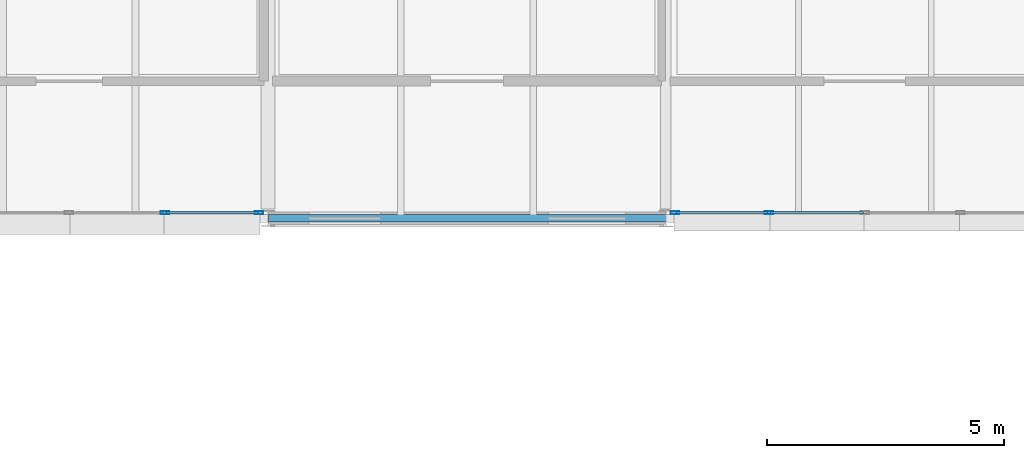
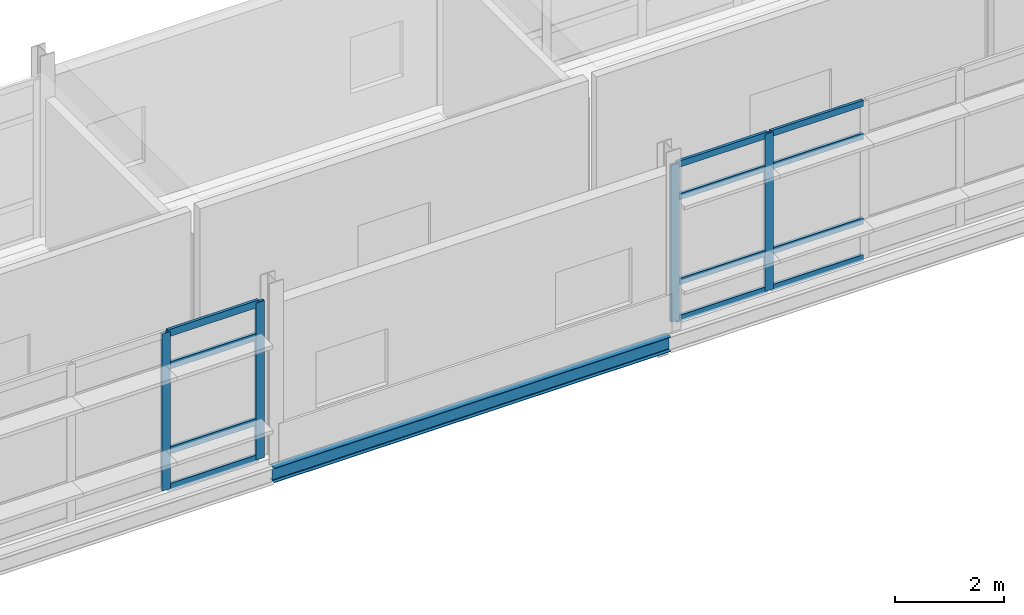
# One storey, part 13 of 66: 16 members, 1 beam, 2 elements without a shape of their own.
"""IFC4 building model written with IfcOpenShell, lengths in metres."""

from ifc_helpers import new_model, si_unit, direction, frame, origin, origin_2d, place, context, subcontext, project, spatial, hollow_rectangle, i_section, extrude, material, material_profile, profile_set, type_object, element, aggregate, save


model = new_model("IFC4")

# Units and contexts
model_context = context("Model", 3, precision=1e-05, world=origin(), true_north=direction((0.0, 1.0)))
body_context = subcontext(model_context, "Body", "Model", "MODEL_VIEW")
ifc_project = project(units=[si_unit("LENGTHUNIT", "METRE"), si_unit("AREAUNIT", "SQUARE_METRE"), si_unit("VOLUMEUNIT", "CUBIC_METRE"), si_unit("PLANEANGLEUNIT", "RADIAN"), si_unit("MASSUNIT", "GRAM", prefix="KILO")], contexts=[model_context])

# Site, building, storey
site_placement = place(None, origin())
site = spatial("IfcSite", under=ifc_project, at=site_placement, CompositionType="ELEMENT")
building_placement = place(site_placement, origin())
building = spatial("IfcBuilding", under=site, at=building_placement, Name="Mersafa Astral City Hall", CompositionType="ELEMENT")
storey_placement = place(building_placement, frame((0.0, 0.0, 22.050048828125)))
storey = spatial("IfcBuildingStorey", under=building, at=storey_placement, Name="L05", CompositionType="ELEMENT", Elevation=22.050048828125)

# Curtain wall, members
ifc_material_1 = material(Name="Anodised bronze aluminium framing", Category="aluminium")
curtain_wall_type_1 = type_object("IfcCurtainWallType", Name="ENV-CW-3", PredefinedType="USERDEFINED", material=ifc_material_1)
curtain_wall_1_placement = place(storey_placement, origin())
curtain_wall_1 = element("IfcCurtainWall", 1, at=curtain_wall_1_placement, inside=storey, type_object=curtain_wall_type_1, Name="L05 Unitised solar curtain wall 236", ObjectType="UNITISED CURTAIN WALL", PredefinedType="USERDEFINED")
ifc_material_profile_1 = material_profile(ifc_material_1, hollow_rectangle(XDim=0.06005859375, YDim=0.179931640625, WallThickness=0.00390625, at=origin_2d()), Name="RHS 60x180x4")
ifc_profile_set_1 = profile_set([ifc_material_profile_1], Name="Anodised bronze aluminium framing")
member_type_1 = type_object("IfcMemberType", Name="ENV-CW-MUL-1", PredefinedType="MULLION", material=ifc_profile_set_1)
member_1_placement = place(storey_placement, frame((73.4189453125, 117.719970703125, -0.001953125), z_axis=(0.0, 0.0, 1.0), x_axis=(0.0, 1.0, 0.0)))
member_1 = element("IfcMember", 2, at=member_1_placement, type_object=member_type_1, Name="CW-3 mullion 4", PredefinedType="MULLION", context=body_context, shape_type="SweptSolid", body=[
    extrude(hollow_rectangle(XDim=0.06005859375, YDim=0.179931640625, WallThickness=0.00390625, at=origin_2d()), origin(), (0.0, 0.0, 1.0), 3.513916015625),
])
member_2_placement = place(storey_placement, frame((75.407958984375, 117.719970703125, -0.001953125), z_axis=(0.0, 0.0, 1.0), x_axis=(0.0, 1.0, 0.0)))
member_2 = element("IfcMember", 3, at=member_2_placement, type_object=member_type_1, Name="CW-3 mullion 5", PredefinedType="MULLION", context=body_context, shape_type="SweptSolid", body=[
    extrude(hollow_rectangle(XDim=0.06005859375, YDim=0.179931640625, WallThickness=0.00390625, at=origin_2d()), origin(), (0.0, 0.0, 1.0), 3.513916015625),
])

curtain_wall_type_2 = type_object("IfcCurtainWallType", Name="ENV-CW-4", PredefinedType="USERDEFINED", material=ifc_material_1)
curtain_wall_2_placement = place(storey_placement, origin())
curtain_wall_2 = element("IfcCurtainWall", 4, at=curtain_wall_2_placement, inside=storey, type_object=curtain_wall_type_2, Name="L05 Unitised solar curtain wall 237", ObjectType="UNITISED CURTAIN WALL", PredefinedType="USERDEFINED")
member_3_placement = place(storey_placement, frame((84.19189453125, 117.719970703125, -0.001953125), z_axis=(0.0, 0.0, 1.0), x_axis=(0.0, 1.0, 0.0)))
member_3 = element("IfcMember", 5, at=member_3_placement, type_object=member_type_1, Name="CW-4 mullion 1", PredefinedType="MULLION", context=body_context, shape_type="SweptSolid", body=[
    extrude(hollow_rectangle(XDim=0.06005859375, YDim=0.179931640625, WallThickness=0.00390625, at=origin_2d()), origin(), (0.0, 0.0, 1.0), 3.513916015625),
])
member_4_placement = place(storey_placement, frame((86.180908203125, 117.719970703125, -0.001953125), z_axis=(0.0, 0.0, 1.0), x_axis=(0.0, 1.0, 0.0)))
member_4 = element("IfcMember", 6, at=member_4_placement, type_object=member_type_1, Name="CW-4 mullion 2", PredefinedType="MULLION", context=body_context, shape_type="SweptSolid", body=[
    extrude(hollow_rectangle(XDim=0.06005859375, YDim=0.179931640625, WallThickness=0.00390625, at=origin_2d()), origin(), (0.0, 0.0, 1.0), 3.513916015625),
])
ifc_material_profile_2 = material_profile(ifc_material_1, hollow_rectangle(XDim=0.06005859375, YDim=0.139892578125, WallThickness=0.00390625, at=origin_2d()), Name="RHS 60x140x4")
ifc_profile_set_2 = profile_set([ifc_material_profile_2], Name="Anodised bronze aluminium framing")
member_type_2 = type_object("IfcMemberType", Name="ENV-CW-TRN-1", PredefinedType="USERDEFINED", material=ifc_profile_set_2)
member_5_placement = place(storey_placement, frame((84.221923828125, 117.719970703125, 0.02783203125), z_axis=(1.0, 0.0, 0.0), x_axis=(0.0, 1.0, 0.0)))
member_5 = element("IfcMember", 7, at=member_5_placement, type_object=member_type_2, Name="CW-4 transom 1.1", ObjectType="TRANSOM", PredefinedType="USERDEFINED", context=body_context, shape_type="SweptSolid", body=[
    extrude(hollow_rectangle(XDim=0.06005859375, YDim=0.139892578125, WallThickness=0.00390625, at=origin_2d()), origin(), (0.0, 0.0, 1.0), 1.928955078125),
])
member_6_placement = place(storey_placement, frame((84.221923828125, 117.719970703125, 0.849853515625), z_axis=(1.0, 0.0, 0.0), x_axis=(0.0, 1.0, 0.0)))
member_6 = element("IfcMember", 8, at=member_6_placement, type_object=member_type_2, Name="CW-4 transom 1.2", ObjectType="TRANSOM", PredefinedType="USERDEFINED", context=body_context, shape_type="SweptSolid", body=[
    extrude(hollow_rectangle(XDim=0.06005859375, YDim=0.139892578125, WallThickness=0.00390625, at=origin_2d()), origin(), (0.0, 0.0, 1.0), 1.928955078125),
])
member_7_placement = place(storey_placement, frame((84.221923828125, 117.719970703125, 2.75), z_axis=(1.0, 0.0, 0.0), x_axis=(0.0, 1.0, 0.0)))
member_7 = element("IfcMember", 9, at=member_7_placement, type_object=member_type_2, Name="CW-4 transom 1.3", ObjectType="TRANSOM", PredefinedType="USERDEFINED", context=body_context, shape_type="SweptSolid", body=[
    extrude(hollow_rectangle(XDim=0.06005859375, YDim=0.139892578125, WallThickness=0.00390625, at=origin_2d()), origin(), (0.0, 0.0, 1.0), 1.928955078125),
])
member_8_placement = place(storey_placement, frame((84.221923828125, 117.719970703125, 3.48193359375), z_axis=(1.0, 0.0, 0.0), x_axis=(0.0, 1.0, 0.0)))
member_8 = element("IfcMember", 10, at=member_8_placement, type_object=member_type_2, Name="CW-4 transom 1.4", ObjectType="TRANSOM", PredefinedType="USERDEFINED", context=body_context, shape_type="SweptSolid", body=[
    extrude(hollow_rectangle(XDim=0.06005859375, YDim=0.139892578125, WallThickness=0.00390625, at=origin_2d()), origin(), (0.0, 0.0, 1.0), 1.928955078125),
])
member_9_placement = place(storey_placement, frame((86.2109375, 117.719970703125, 0.02783203125), z_axis=(1.0, 0.0, 0.0), x_axis=(0.0, 1.0, 0.0)))
member_9 = element("IfcMember", 11, at=member_9_placement, type_object=member_type_2, Name="CW-4 transom 2.1", ObjectType="TRANSOM", PredefinedType="USERDEFINED", context=body_context, shape_type="SweptSolid", body=[
    extrude(hollow_rectangle(XDim=0.06005859375, YDim=0.139892578125, WallThickness=0.00390625, at=origin_2d()), origin(), (0.0, 0.0, 1.0), 1.958984375),
])
member_10_placement = place(storey_placement, frame((86.2109375, 117.719970703125, 0.849853515625), z_axis=(1.0, 0.0, 0.0), x_axis=(0.0, 1.0, 0.0)))
member_10 = element("IfcMember", 12, at=member_10_placement, type_object=member_type_2, Name="CW-4 transom 2.2", ObjectType="TRANSOM", PredefinedType="USERDEFINED", context=body_context, shape_type="SweptSolid", body=[
    extrude(hollow_rectangle(XDim=0.06005859375, YDim=0.139892578125, WallThickness=0.00390625, at=origin_2d()), origin(), (0.0, 0.0, 1.0), 1.958984375),
])
member_11_placement = place(storey_placement, frame((86.2109375, 117.719970703125, 2.75), z_axis=(1.0, 0.0, 0.0), x_axis=(0.0, 1.0, 0.0)))
member_11 = element("IfcMember", 13, at=member_11_placement, type_object=member_type_2, Name="CW-4 transom 2.3", ObjectType="TRANSOM", PredefinedType="USERDEFINED", context=body_context, shape_type="SweptSolid", body=[
    extrude(hollow_rectangle(XDim=0.06005859375, YDim=0.139892578125, WallThickness=0.00390625, at=origin_2d()), origin(), (0.0, 0.0, 1.0), 1.958984375),
])
member_12_placement = place(storey_placement, frame((86.2109375, 117.719970703125, 3.48193359375), z_axis=(1.0, 0.0, 0.0), x_axis=(0.0, 1.0, 0.0)))
member_12 = element("IfcMember", 14, at=member_12_placement, type_object=member_type_2, Name="CW-4 transom 2.4", ObjectType="TRANSOM", PredefinedType="USERDEFINED", context=body_context, shape_type="SweptSolid", body=[
    extrude(hollow_rectangle(XDim=0.06005859375, YDim=0.139892578125, WallThickness=0.00390625, at=origin_2d()), origin(), (0.0, 0.0, 1.0), 1.958984375),
])
aggregate(curtain_wall_2, [member_3, member_4, member_5, member_6, member_7, member_8, member_9, member_10, member_11, member_12])

# Member
ifc_material_profile_3 = material_profile(ifc_material_1, hollow_rectangle(XDim=0.06005859375, YDim=0.159912109375, WallThickness=0.00390625, at=origin_2d()), Name="RHS 60x160x4")
ifc_profile_set_3 = profile_set([ifc_material_profile_3], Name="Anodised bronze aluminium framing")
member_type_3 = type_object("IfcMemberType", Name="ENV-CW-TRN-2", PredefinedType="USERDEFINED", material=ifc_profile_set_3)
member_13_placement = place(storey_placement, frame((73.448974609375, 117.719970703125, 0.02783203125), z_axis=(1.0, 0.0, 0.0), x_axis=(0.0, 1.0, 0.0)))
member_13 = element("IfcMember", 15, at=member_13_placement, type_object=member_type_3, Name="CW-3 transom 4.1", ObjectType="TRANSOM", PredefinedType="USERDEFINED", context=body_context, shape_type="SweptSolid", body=[
    extrude(hollow_rectangle(XDim=0.06005859375, YDim=0.159912109375, WallThickness=0.00390625, at=origin_2d()), origin(), (0.0, 0.0, 1.0), 1.928955078125),
])

member_14_placement = place(storey_placement, frame((73.448974609375, 117.719970703125, 0.849853515625), z_axis=(1.0, 0.0, 0.0), x_axis=(0.0, 1.0, 0.0)))
member_14 = element("IfcMember", 16, at=member_14_placement, type_object=member_type_3, Name="CW-3 transom 4.2", ObjectType="TRANSOM", PredefinedType="USERDEFINED", context=body_context, shape_type="SweptSolid", body=[
    extrude(hollow_rectangle(XDim=0.06005859375, YDim=0.159912109375, WallThickness=0.00390625, at=origin_2d()), origin(), (0.0, 0.0, 1.0), 1.928955078125),
])

member_15_placement = place(storey_placement, frame((73.448974609375, 117.719970703125, 2.75), z_axis=(1.0, 0.0, 0.0), x_axis=(0.0, 1.0, 0.0)))
member_15 = element("IfcMember", 17, at=member_15_placement, type_object=member_type_3, Name="CW-3 transom 4.3", ObjectType="TRANSOM", PredefinedType="USERDEFINED", context=body_context, shape_type="SweptSolid", body=[
    extrude(hollow_rectangle(XDim=0.06005859375, YDim=0.159912109375, WallThickness=0.00390625, at=origin_2d()), origin(), (0.0, 0.0, 1.0), 1.928955078125),
])

member_16_placement = place(storey_placement, frame((73.448974609375, 117.719970703125, 3.48193359375), z_axis=(1.0, 0.0, 0.0), x_axis=(0.0, 1.0, 0.0)))
member_16 = element("IfcMember", 18, at=member_16_placement, type_object=member_type_3, Name="CW-3 transom 4.4", ObjectType="TRANSOM", PredefinedType="USERDEFINED", context=body_context, shape_type="SweptSolid", body=[
    extrude(hollow_rectangle(XDim=0.06005859375, YDim=0.159912109375, WallThickness=0.00390625, at=origin_2d()), origin(), (0.0, 0.0, 1.0), 1.928955078125),
])

aggregate(curtain_wall_1, [member_1, member_2, member_13, member_14, member_15, member_16])

# Beam
ifc_material_2 = material(Name="Steel S355", Category="steel")
ifc_material_profile_4 = material_profile(ifc_material_2, i_section(OverallWidth=0.159912109375, OverallDepth=0.330078125, WebThickness=0.007568359375, FlangeThickness=0.011474609375, FilletRadius=0.01806640625, at=origin_2d()), Name="IPE 330")
ifc_profile_set_4 = profile_set([ifc_material_profile_4], Name="Steel S355")
beam_type = type_object("IfcBeamType", Name="STR-BM-SPANDREL-IPE330", PredefinedType="SPANDREL", material=ifc_profile_set_4)
beam_placement = place(storey_placement, frame((75.60302734375, 117.60009765625, -0.344970703125), z_axis=(1.0, 0.0, 0.0), x_axis=(0.0, 1.0, 0.0)))
element("IfcBeam", 19, at=beam_placement, inside=storey, type_object=beam_type, Name="L05 Primary girder X 9-14", PredefinedType="SPANDREL", context=body_context, shape_type="SweptSolid", body=[
    extrude(i_section(OverallWidth=0.159912109375, OverallDepth=0.330078125, WebThickness=0.007568359375, FlangeThickness=0.011474609375, FilletRadius=0.01806640625, at=origin_2d()), origin(), (0.0, 0.0, 1.0), 8.39404296875),
])

save(model, "model.ifc")
